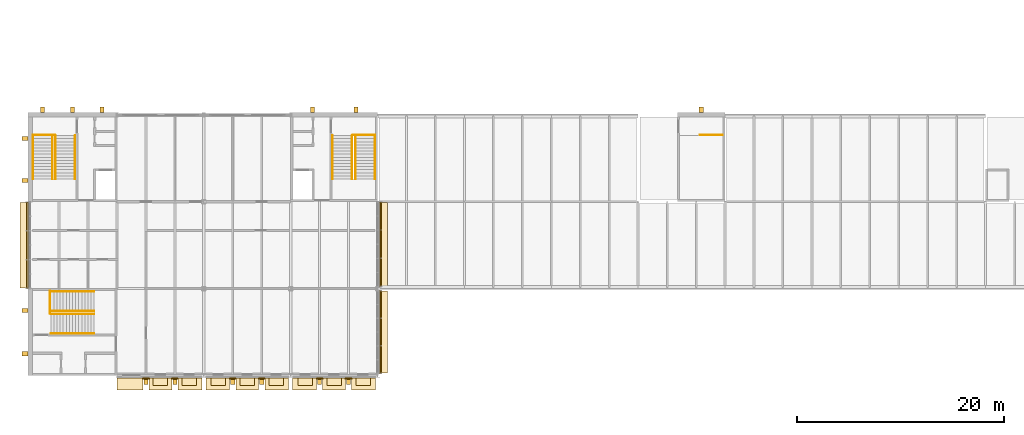
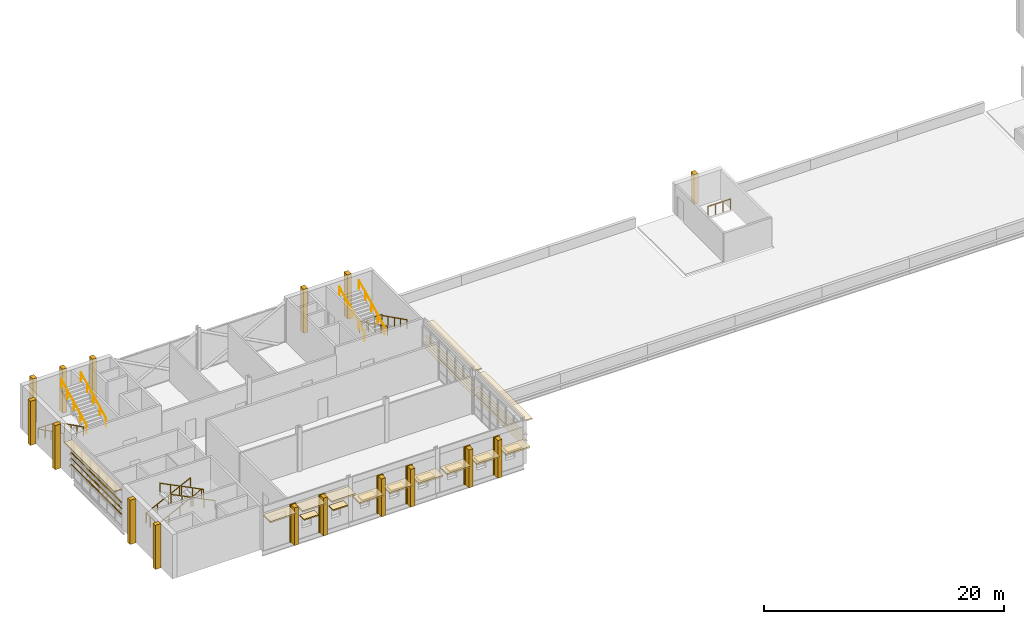
# One storey, part 28 of 29: 51 coverings, 16 railings.
"""IFC4 building model written with IfcOpenShell, lengths in metres."""

from ifc_helpers import new_model, si_unit, direction, frame, origin, origin_2d, place, context, subcontext, project, spatial, rectangle, circle, extrude, material, layer, layer_set, material_profile, profile_set, type_object, element, save


model = new_model("IFC4")

# Units and contexts
model_context = context("Model", 3, precision=1e-05, world=origin(), true_north=direction((0.0, 1.0)))
body_context = subcontext(model_context, "Body", "Model", "MODEL_VIEW")
ifc_project = project(units=[si_unit("LENGTHUNIT", "METRE"), si_unit("AREAUNIT", "SQUARE_METRE"), si_unit("VOLUMEUNIT", "CUBIC_METRE"), si_unit("PLANEANGLEUNIT", "RADIAN"), si_unit("MASSUNIT", "GRAM", prefix="KILO")], contexts=[model_context])

# Site, building, storey
site_placement = place(None, origin())
site = spatial("IfcSite", under=ifc_project, at=site_placement, CompositionType="ELEMENT")
building_placement = place(site_placement, origin())
building = spatial("IfcBuilding", under=site, at=building_placement, Name="Ardhachandra Cancer Care Centre", CompositionType="ELEMENT")
storey_placement = place(building_placement, frame((0.0, 0.0, 13.5)))
storey = spatial("IfcBuildingStorey", under=building, at=storey_placement, Name="L03", CompositionType="ELEMENT", Elevation=13.5)

# Coverings
ifc_material_1 = material(Name="Brick masonry (clay brick, cement mortar) pier cladding", Category="masonry")
ifc_layer_1 = layer(ifc_material_1, 0.1201171875)
ifc_layer_set_1 = layer_set([ifc_layer_1], Name="Brick masonry (clay brick, cement mortar) pier cladding")
covering_type_1 = type_object("IfcCoveringType", Name="Brick pier cladding 600 x 120", PredefinedType="CLADDING", material=ifc_layer_set_1)
for number, where, z_axis, x_axis, name in (
    (1, (22.0, 71.114990234375, 0.0), (0.0, 0.0, 1.0), (1.0, 0.0, 0.0), "Pier cladding L03 L03/s/0019200_0071400"),
    (2, (24.800048828125, 71.114990234375, 0.0), (0.0, 0.0, 1.0), (1.0, 0.0, 0.0), "Pier cladding L03 L03/s/0019200_0071400"),
    (3, (30.39990234375, 71.114990234375, 0.0), (0.0, 0.0, 1.0), (1.0, 0.0, 0.0), "Pier cladding L03 L03/s/0027600_0071400"),
    (4, (33.199951171875, 71.114990234375, 0.0), (0.0, 0.0, 1.0), (1.0, 0.0, 0.0), "Pier cladding L03 L03/s/0027600_0071400"),
    (5, (38.800048828125, 71.114990234375, 0.0), (0.0, 0.0, 1.0), (1.0, 0.0, 0.0), "Pier cladding L03 L03/s/0036000_0071400"),
    (6, (41.60009765625, 71.114990234375, 0.0), (0.0, 0.0, 1.0), (1.0, 0.0, 0.0), "Pier cladding L03 L03/s/0036000_0071400"),
):
    element("IfcCovering", number, at=place(storey_placement, frame(where, z_axis=z_axis, x_axis=x_axis)), inside=storey, type_object=covering_type_1, Name=name, PredefinedType="CLADDING", context=body_context, shape_type="SweptSolid", body=[
        extrude(rectangle(XDim=0.60009765625, YDim=0.1201171875, at=origin_2d()), origin(), (0.0, 0.0, 1.0), 3.85009765625),
    ])

# Railings
ifc_material_2 = material(Name="Steel E250 (IS 2062)", Category="steel")
railing_type_1 = type_object("IfcRailingType", Name="Guard 1100", PredefinedType="GUARDRAIL", material=ifc_material_2)
railing_1_placement = place(storey_placement, frame((11.054931640625, 94.659912109375, 0.0)))
element("IfcRailing", 7, at=railing_1_placement, inside=storey, type_object=railing_type_1, Name="Stair well guard K4 L03", PredefinedType="GUARDRAIL", context=body_context, shape_type="SweptSolid", body=[
    extrude(circle(Radius=0.02392578125, at=origin_2d()), frame((0.0, 0.0, 1.076171875), z_axis=(1.0, 0.0, 0.0), x_axis=(0.0, 1.0, 0.0)), (0.0, 0.0, 1.0), 2.170166015625),
    extrude(circle(Radius=0.02099609375, at=origin_2d()), origin(), (0.0, 0.0, 1.0), 1.052001953125),
    extrude(circle(Radius=0.02099609375, at=origin_2d()), frame((0.723388671875, 0.0, 0.0)), (0.0, 0.0, 1.0), 1.052001953125),
    extrude(circle(Radius=0.02099609375, at=origin_2d()), frame((1.44677734375, 0.0, 0.0)), (0.0, 0.0, 1.0), 1.052001953125),
    extrude(circle(Radius=0.02099609375, at=origin_2d()), frame((2.170166015625, 0.0, 0.0)), (0.0, 0.0, 1.0), 1.052001953125),
])
railing_2_placement = place(storey_placement, frame((44.169921875, 94.659912109375, 0.0)))
element("IfcRailing", 8, at=railing_2_placement, inside=storey, type_object=railing_type_1, Name="Stair well guard K5 L03", PredefinedType="GUARDRAIL", context=body_context, shape_type="SweptSolid", body=[
    extrude(circle(Radius=0.02392578125, at=origin_2d()), frame((0.0, 0.0, 1.076171875), z_axis=(-1.0, 0.0, 0.0), x_axis=(0.0, -1.0, 0.0)), (0.0, 0.0, 1.0), 2.169921875),
    extrude(circle(Radius=0.02099609375, at=origin_2d()), origin(), (0.0, 0.0, 1.0), 1.052001953125),
    extrude(circle(Radius=0.02099609375, at=origin_2d()), frame((-0.723388671875, 0.0, 0.0)), (0.0, 0.0, 1.0), 1.052001953125),
    extrude(circle(Radius=0.02099609375, at=origin_2d()), frame((-1.446533203125, 0.0, 0.0)), (0.0, 0.0, 1.0), 1.052001953125),
    extrude(circle(Radius=0.02099609375, at=origin_2d()), frame((-2.169921875, 0.0, 0.0)), (0.0, 0.0, 1.0), 1.052001953125),
])
railing_3_placement = place(storey_placement, frame((12.739990234375, 79.570068359375, 0.0)))
element("IfcRailing", 9, at=railing_3_placement, inside=storey, type_object=railing_type_1, Name="Stair well guard K6 L03", PredefinedType="GUARDRAIL", context=body_context, shape_type="SweptSolid", body=[
    extrude(circle(Radius=0.02392578125, at=origin_2d()), frame((0.0, 0.0, 1.076171875), z_axis=(0.0, -1.0, 0.0), x_axis=(1.0, 0.0, 0.0)), (0.0, 0.0, 1.0), 2.170166015625),
    extrude(circle(Radius=0.02099609375, at=origin_2d()), origin(), (0.0, 0.0, 1.0), 1.052001953125),
    extrude(circle(Radius=0.02099609375, at=origin_2d()), frame((0.0, -0.723388671875, 0.0)), (0.0, 0.0, 1.0), 1.052001953125),
    extrude(circle(Radius=0.02099609375, at=origin_2d()), frame((0.0, -1.44677734375, 0.0)), (0.0, 0.0, 1.0), 1.052001953125),
    extrude(circle(Radius=0.02099609375, at=origin_2d()), frame((0.0, -2.170166015625, 0.0)), (0.0, 0.0, 1.0), 1.052001953125),
])
railing_4_placement = place(storey_placement, frame((77.77001953125, 94.659912109375, 0.0)))
element("IfcRailing", 10, at=railing_4_placement, inside=storey, type_object=railing_type_1, Name="Stair well guard K8 L03", PredefinedType="GUARDRAIL", context=body_context, shape_type="SweptSolid", body=[
    extrude(circle(Radius=0.02392578125, at=origin_2d()), frame((0.0, 0.0, 1.076171875), z_axis=(-1.0, 0.0, 0.0), x_axis=(0.0, -1.0, 0.0)), (0.0, 0.0, 1.0), 2.169921875),
    extrude(circle(Radius=0.02099609375, at=origin_2d()), origin(), (0.0, 0.0, 1.0), 1.052001953125),
    extrude(circle(Radius=0.02099609375, at=origin_2d()), frame((-0.723388671875, 0.0, 0.0)), (0.0, 0.0, 1.0), 1.052001953125),
    extrude(circle(Radius=0.02099609375, at=origin_2d()), frame((-1.446533203125, 0.0, 0.0)), (0.0, 0.0, 1.0), 1.052001953125),
    extrude(circle(Radius=0.02099609375, at=origin_2d()), frame((-2.169921875, 0.0, 0.0)), (0.0, 0.0, 1.0), 1.052001953125),
])

# Coverings
ifc_material_3 = material(Name="Anodised aluminium extrusion", Category="aluminium")
ifc_material_profile = material_profile(ifc_material_3, rectangle(XDim=0.199951171875, YDim=0.02001953125, at=origin_2d()), Name="Louvre blade 200 x 20")
ifc_profile_set = profile_set([ifc_material_profile], Name="Anodised aluminium extrusion")
covering_type_2 = type_object("IfcCoveringType", Name="Louvre blade 200 x 20", PredefinedType="CLADDING", material=ifc_profile_set)
for number, where, z_axis, x_axis, name in (
    (11, (44.655029296875, 71.614013671875, 1.5), (0.0, 1.0, 0.0), (-0.819152044289, 0.0, -0.573576436351), "Louvre blade over curtain wall L03/e/0044400_0071400 1"),
    (12, (44.655029296875, 71.614013671875, 2.10009765625), (0.0, 1.0, 0.0), (-0.819152044289, 0.0, -0.573576436351), "Louvre blade over curtain wall L03/e/0044400_0071400 2"),
    (13, (44.655029296875, 71.614013671875, 2.699951171875), (0.0, 1.0, 0.0), (-0.819152044289, 0.0, -0.573576436351), "Louvre blade over curtain wall L03/e/0044400_0071400 3"),
):
    element("IfcCovering", number, at=place(storey_placement, frame(where, z_axis=z_axis, x_axis=x_axis)), inside=storey, type_object=covering_type_2, Name=name, PredefinedType="CLADDING", context=body_context, shape_type="SweptSolid", body=[
        extrude(rectangle(XDim=0.199951171875, YDim=0.02001953125, at=origin_2d()), origin(), (0.0, 0.0, 1.0), 7.971923828125),
    ])
for number, where, z_axis, x_axis, name in (
    (14, (44.655029296875, 80.013916015625, 1.5), (0.0, 1.0, 0.0), (-0.819152044289, 0.0, -0.573576436351), "Louvre blade over curtain wall L03/e/0044400_0079800 1"),
    (15, (44.655029296875, 80.013916015625, 2.10009765625), (0.0, 1.0, 0.0), (-0.819152044289, 0.0, -0.573576436351), "Louvre blade over curtain wall L03/e/0044400_0079800 2"),
    (16, (44.655029296875, 80.013916015625, 2.699951171875), (0.0, 1.0, 0.0), (-0.819152044289, 0.0, -0.573576436351), "Louvre blade over curtain wall L03/e/0044400_0079800 3"),
):
    element("IfcCovering", number, at=place(storey_placement, frame(where, z_axis=z_axis, x_axis=x_axis)), inside=storey, type_object=covering_type_2, Name=name, PredefinedType="CLADDING", context=body_context, shape_type="SweptSolid", body=[
        extrude(rectangle(XDim=0.199951171875, YDim=0.02001953125, at=origin_2d()), origin(), (0.0, 0.0, 1.0), 8.156005859375),
    ])
for number, where, z_axis, x_axis, name in (
    (17, (10.544921875, 79.830078125, 1.5), (0.0, 1.0, 0.0), (-0.819152044289, 0.0, 0.573576436351), "Louvre blade over curtain wall L03/w/0010800_0079800 1"),
    (18, (10.544921875, 79.830078125, 2.10009765625), (0.0, 1.0, 0.0), (-0.819152044289, 0.0, 0.573576436351), "Louvre blade over curtain wall L03/w/0010800_0079800 2"),
    (19, (10.544921875, 79.830078125, 2.699951171875), (0.0, 1.0, 0.0), (-0.819152044289, 0.0, 0.573576436351), "Louvre blade over curtain wall L03/w/0010800_0079800 3"),
):
    element("IfcCovering", number, at=place(storey_placement, frame(where, z_axis=z_axis, x_axis=x_axis)), inside=storey, type_object=covering_type_2, Name=name, PredefinedType="CLADDING", context=body_context, shape_type="SweptSolid", body=[
        extrude(rectangle(XDim=0.199951171875, YDim=0.02001953125, at=origin_2d()), origin(), (0.0, 0.0, 1.0), 8.33984375),
    ])
ifc_material_4 = material(Name="Precast Concrete M25", Category="concrete")
ifc_layer_2 = layer(ifc_material_4, 0.1201171875)
ifc_layer_set_2 = layer_set([ifc_layer_2], Name="Precast Concrete M25")
covering_type_3 = type_object("IfcCoveringType", Name="Precast chajja 750 x 120", PredefinedType="USERDEFINED", material=ifc_layer_set_2)
covering_1_placement = place(storey_placement, frame((45.0, 75.60009765625, 3.949951171875), z_axis=(0.0, 0.0, 1.0), x_axis=(0.0, 1.0, 0.0)))
element("IfcCovering", 20, at=covering_1_placement, inside=storey, type_object=covering_type_3, Name="Chajja over curtain wall L03/e/0044400_0071400", ObjectType="CHAJJA", PredefinedType="USERDEFINED", context=body_context, shape_type="SweptSolid", body=[
    extrude(rectangle(XDim=7.931884765625, YDim=0.75, at=origin_2d()), origin(), (0.0, 0.0, 1.0), 0.1201171875),
])
covering_2_placement = place(storey_placement, frame((45.0, 84.092041015625, 3.949951171875), z_axis=(0.0, 0.0, 1.0), x_axis=(0.0, 1.0, 0.0)))
element("IfcCovering", 21, at=covering_2_placement, inside=storey, type_object=covering_type_3, Name="Chajja over curtain wall L03/e/0044400_0079800", ObjectType="CHAJJA", PredefinedType="USERDEFINED", context=body_context, shape_type="SweptSolid", body=[
    extrude(rectangle(XDim=8.115966796875, YDim=0.75, at=origin_2d()), origin(), (0.0, 0.0, 1.0), 0.1201171875),
])
covering_3_placement = place(storey_placement, frame((10.199951171875, 84.0, 3.949951171875), z_axis=(0.0, 0.0, 1.0), x_axis=(0.0, 1.0, 0.0)))
element("IfcCovering", 22, at=covering_3_placement, inside=storey, type_object=covering_type_3, Name="Chajja over curtain wall L03/w/0010800_0079800", ObjectType="CHAJJA", PredefinedType="USERDEFINED", context=body_context, shape_type="SweptSolid", body=[
    extrude(rectangle(XDim=8.300048828125, YDim=0.75, at=origin_2d()), origin(), (0.0, 0.0, 1.0), 0.1201171875),
])
for number, where, z_axis, x_axis, name in (
    (23, (23.39990234375, 70.800048828125, 2.300048828125), (0.0, 0.0, 1.0), (1.0, 0.0, 0.0), "Chajja L03/s/0019200_0071400/02"),
    (24, (26.199951171875, 70.800048828125, 2.300048828125), (0.0, 0.0, 1.0), (1.0, 0.0, 0.0), "Chajja L03/s/0019200_0071400/03"),
    (25, (29.0, 70.800048828125, 2.300048828125), (0.0, 0.0, 1.0), (1.0, 0.0, 0.0), "Chajja L03/s/0027600_0071400/01"),
    (26, (31.800048828125, 70.800048828125, 2.300048828125), (0.0, 0.0, 1.0), (1.0, 0.0, 0.0), "Chajja L03/s/0027600_0071400/02"),
    (27, (34.60009765625, 70.800048828125, 2.300048828125), (0.0, 0.0, 1.0), (1.0, 0.0, 0.0), "Chajja L03/s/0027600_0071400/03"),
    (28, (37.39990234375, 70.800048828125, 2.300048828125), (0.0, 0.0, 1.0), (1.0, 0.0, 0.0), "Chajja L03/s/0036000_0071400/01"),
    (29, (40.199951171875, 70.800048828125, 2.300048828125), (0.0, 0.0, 1.0), (1.0, 0.0, 0.0), "Chajja L03/s/0036000_0071400/02"),
    (30, (43.0, 70.800048828125, 2.300048828125), (0.0, 0.0, 1.0), (1.0, 0.0, 0.0), "Chajja L03/s/0036000_0071400/03"),
):
    element("IfcCovering", number, at=place(storey_placement, frame(where, z_axis=z_axis, x_axis=x_axis)), inside=storey, type_object=covering_type_3, Name=name, ObjectType="CHAJJA", PredefinedType="USERDEFINED", context=body_context, shape_type="SweptSolid", body=[
        extrude(rectangle(XDim=1.39990234375, YDim=0.75, at=origin_2d()), origin(), (0.0, 0.0, 1.0), 0.1201171875),
    ])
ifc_material_5 = material(Name="Precast Concrete M25", Category="concrete")
ifc_layer_3 = layer(ifc_material_5, 0.39990234375)
ifc_layer_set_3 = layer_set([ifc_layer_3], Name="Precast Concrete M25")
covering_type_4 = type_object("IfcCoveringType", Name="Precast concrete fin 400 x 550", PredefinedType="CLADDING", material=ifc_layer_set_3)
for number, where, z_axis, x_axis, name in (
    (31, (22.0, 70.780029296875, 0.0), (0.0, 0.0, 1.0), (1.0, 0.0, 0.0), "Fin L03 L03/s/0019200_0071400"),
    (32, (24.800048828125, 70.780029296875, 0.0), (0.0, 0.0, 1.0), (1.0, 0.0, 0.0), "Fin L03 L03/s/0019200_0071400"),
    (33, (30.39990234375, 70.780029296875, 0.0), (0.0, 0.0, 1.0), (1.0, 0.0, 0.0), "Fin L03 L03/s/0027600_0071400"),
    (34, (33.199951171875, 70.780029296875, 0.0), (0.0, 0.0, 1.0), (1.0, 0.0, 0.0), "Fin L03 L03/s/0027600_0071400"),
    (35, (38.800048828125, 70.780029296875, 0.0), (0.0, 0.0, 1.0), (1.0, 0.0, 0.0), "Fin L03 L03/s/0036000_0071400"),
    (36, (41.60009765625, 70.780029296875, 0.0), (0.0, 0.0, 1.0), (1.0, 0.0, 0.0), "Fin L03 L03/s/0036000_0071400"),
):
    element("IfcCovering", number, at=place(storey_placement, frame(where, z_axis=z_axis, x_axis=x_axis)), inside=storey, type_object=covering_type_4, Name=name, PredefinedType="CLADDING", context=body_context, shape_type="SweptSolid", body=[
        extrude(rectangle(XDim=0.39990234375, YDim=0.550048828125, at=origin_2d()), origin(), (0.0, 0.0, 1.0), 3.85009765625),
    ])
for number, where, z_axis, x_axis, name in (
    (37, (12.012451171875, 97.10009765625, 0.0), (0.0, 0.0, 1.0), (1.0, 0.0, 0.0), "Fin L03 core K4 1"),
    (38, (14.887451171875, 97.10009765625, 0.0), (0.0, 0.0, 1.0), (1.0, 0.0, 0.0), "Fin L03 core K4 2"),
    (39, (17.762451171875, 97.10009765625, 0.0), (0.0, 0.0, 1.0), (1.0, 0.0, 0.0), "Fin L03 core K4 3"),
    (40, (10.300048828125, 90.24365234375, 0.0), (0.0, 0.0, 1.0), (0.0, 1.0, 0.0), "Fin L03 core K4 1"),
    (41, (10.300048828125, 94.331298828125, 0.0), (0.0, 0.0, 1.0), (0.0, 1.0, 0.0), "Fin L03 core K4 2"),
    (42, (38.10009765625, 97.10009765625, 0.0), (0.0, 0.0, 1.0), (1.0, 0.0, 0.0), "Fin L03 core K5 1"),
    (43, (42.300048828125, 97.10009765625, 0.0), (0.0, 0.0, 1.0), (1.0, 0.0, 0.0), "Fin L03 core K5 2"),
    (44, (10.300048828125, 73.5, 0.0), (0.0, 0.0, 1.0), (0.0, 1.0, 0.0), "Fin L03 core K6 1"),
    (45, (10.300048828125, 77.699951171875, 0.0), (0.0, 0.0, 1.0), (0.0, 1.0, 0.0), "Fin L03 core K6 2"),
):
    element("IfcCovering", number, at=place(storey_placement, frame(where, z_axis=z_axis, x_axis=x_axis)), inside=storey, type_object=covering_type_4, Name=name, PredefinedType="CLADDING", context=body_context, shape_type="SweptSolid", body=[
        extrude(rectangle(XDim=0.39990234375, YDim=0.550048828125, at=origin_2d()), origin(), (0.0, 0.0, 1.0), 4.5),
    ])
covering_4_placement = place(storey_placement, frame((75.699951171875, 97.10009765625, 0.0), z_axis=(0.0, 0.0, 1.0), x_axis=(1.0, 0.0, 0.0)))
element("IfcCovering", 46, at=covering_4_placement, inside=storey, type_object=covering_type_4, Name="Fin L03 core K8 1", PredefinedType="CLADDING", context=body_context, shape_type="SweptSolid", body=[
    extrude(rectangle(XDim=0.39990234375, YDim=0.550048828125, at=origin_2d()), origin(), (0.0, 0.0, 1.0), 3.0),
])
ifc_material_6 = material(Name="Precast Concrete M25", Category="concrete")
ifc_layer_4 = layer(ifc_material_6, 0.14990234375)
ifc_layer_set_4 = layer_set([ifc_layer_4], Name="Precast Concrete M25")
covering_type_5 = type_object("IfcCoveringType", Name="Precast sunshade band 1200 x 150", PredefinedType="CLADDING", material=ifc_layer_set_4)
covering_5_placement = place(storey_placement, frame((20.449951171875, 70.574951171875, 3.550048828125), z_axis=(0.0, 0.0, 1.0), x_axis=(1.0, 0.0, 0.0)))
element("IfcCovering", 47, at=covering_5_placement, inside=storey, type_object=covering_type_5, Name="Sunshade band L03 L03/s/0019200_0071400 1", PredefinedType="CLADDING", context=body_context, shape_type="SweptSolid", body=[
    extrude(rectangle(XDim=2.5, YDim=1.199951171875, at=origin_2d()), origin(), (0.0, 0.0, 1.0), 0.14990234375),
])
covering_6_placement = place(storey_placement, frame((23.39990234375, 70.574951171875, 3.550048828125), z_axis=(0.0, 0.0, 1.0), x_axis=(1.0, 0.0, 0.0)))
element("IfcCovering", 48, at=covering_6_placement, inside=storey, type_object=covering_type_5, Name="Sunshade band L03 L03/s/0019200_0071400 2", PredefinedType="CLADDING", context=body_context, shape_type="SweptSolid", body=[
    extrude(rectangle(XDim=2.199951171875, YDim=1.199951171875, at=origin_2d()), origin(), (0.0, 0.0, 1.0), 0.14990234375),
])
for number, where, z_axis, x_axis, name in (
    (49, (26.252197265625, 70.574951171875, 3.550048828125), (0.0, 0.0, 1.0), (1.0, 0.0, 0.0), "Sunshade band L03 L03/s/0019200_0071400 3"),
    (50, (28.94775390625, 70.574951171875, 2.449951171875), (0.0, 0.0, 1.0), (1.0, 0.0, 0.0), "Sunshade band L03 L03/s/0027600_0071400 1"),
):
    element("IfcCovering", number, at=place(storey_placement, frame(where, z_axis=z_axis, x_axis=x_axis)), inside=storey, type_object=covering_type_5, Name=name, PredefinedType="CLADDING", context=body_context, shape_type="SweptSolid", body=[
        extrude(rectangle(XDim=2.304443359375, YDim=1.199951171875, at=origin_2d()), origin(), (0.0, 0.0, 1.0), 0.14990234375),
    ])
covering_7_placement = place(storey_placement, frame((31.800048828125, 70.574951171875, 2.449951171875), z_axis=(0.0, 0.0, 1.0), x_axis=(1.0, 0.0, 0.0)))
element("IfcCovering", 51, at=covering_7_placement, inside=storey, type_object=covering_type_5, Name="Sunshade band L03 L03/s/0027600_0071400 2", PredefinedType="CLADDING", context=body_context, shape_type="SweptSolid", body=[
    extrude(rectangle(XDim=2.199951171875, YDim=1.199951171875, at=origin_2d()), origin(), (0.0, 0.0, 1.0), 0.14990234375),
])
for number, where, z_axis, x_axis, name in (
    (52, (34.65234375, 70.574951171875, 2.449951171875), (0.0, 0.0, 1.0), (1.0, 0.0, 0.0), "Sunshade band L03 L03/s/0027600_0071400 3"),
    (53, (37.34765625, 70.574951171875, 2.449951171875), (0.0, 0.0, 1.0), (1.0, 0.0, 0.0), "Sunshade band L03 L03/s/0036000_0071400 1"),
):
    element("IfcCovering", number, at=place(storey_placement, frame(where, z_axis=z_axis, x_axis=x_axis)), inside=storey, type_object=covering_type_5, Name=name, PredefinedType="CLADDING", context=body_context, shape_type="SweptSolid", body=[
        extrude(rectangle(XDim=2.304443359375, YDim=1.199951171875, at=origin_2d()), origin(), (0.0, 0.0, 1.0), 0.14990234375),
    ])
covering_8_placement = place(storey_placement, frame((40.199951171875, 70.574951171875, 2.449951171875), z_axis=(0.0, 0.0, 1.0), x_axis=(1.0, 0.0, 0.0)))
element("IfcCovering", 54, at=covering_8_placement, inside=storey, type_object=covering_type_5, Name="Sunshade band L03 L03/s/0036000_0071400 2", PredefinedType="CLADDING", context=body_context, shape_type="SweptSolid", body=[
    extrude(rectangle(XDim=2.199951171875, YDim=1.199951171875, at=origin_2d()), origin(), (0.0, 0.0, 1.0), 0.14990234375),
])
covering_9_placement = place(storey_placement, frame((43.05224609375, 70.574951171875, 2.449951171875), z_axis=(0.0, 0.0, 1.0), x_axis=(1.0, 0.0, 0.0)))
element("IfcCovering", 55, at=covering_9_placement, inside=storey, type_object=covering_type_5, Name="Sunshade band L03 L03/s/0036000_0071400 3", PredefinedType="CLADDING", context=body_context, shape_type="SweptSolid", body=[
    extrude(rectangle(XDim=2.304443359375, YDim=1.199951171875, at=origin_2d()), origin(), (0.0, 0.0, 1.0), 0.14990234375),
])

# Railings
ifc_material_7 = material(Name="Steel E250 (IS 2062)", Category="steel")
railing_type_2 = type_object("IfcRailingType", Name="Stair handrail 900", PredefinedType="HANDRAIL", material=ifc_material_7)
for number, where, name in (
    (56, (11.0849609375, 94.60009765625, 0.14990234375), "Handrail K4 L03-L04 flight 1 wall side"),
    (57, (12.97509765625, 94.60009765625, 0.14990234375), "Handrail K4 L03-L04 flight 1 well side"),
):
    element("IfcRailing", number, at=place(storey_placement, frame(where)), inside=storey, type_object=railing_type_2, Name=name, PredefinedType="HANDRAIL", context=body_context, shape_type="SweptSolid", body=[
        extrude(circle(Radius=0.02392578125, at=origin_2d()), frame((0.0, 0.0, 0.8759765625), z_axis=(0.0, -0.894427191, 0.4472135955), x_axis=(1.0, 0.0, 0.0)), (0.0, 0.0, 1.0), 4.696044921875),
        extrude(circle(Radius=0.02099609375, at=origin_2d()), origin(), (0.0, 0.0, 1.0), 0.851806640625),
        extrude(circle(Radius=0.02099609375, at=origin_2d()), frame((0.0, -1.050048828125, 0.52490234375)), (0.0, 0.0, 1.0), 0.851806640625),
        extrude(circle(Radius=0.02099609375, at=origin_2d()), frame((0.0, -2.10009765625, 1.050048828125)), (0.0, 0.0, 1.0), 0.851806640625),
        extrude(circle(Radius=0.02099609375, at=origin_2d()), frame((0.0, -3.150146484375, 1.5751953125)), (0.0, 0.0, 1.0), 0.851806640625),
        extrude(circle(Radius=0.02099609375, at=origin_2d()), frame((0.0, -4.2001953125, 2.10009765625)), (0.0, 0.0, 1.0), 0.851806640625),
    ])
for number, where, name in (
    (58, (13.27490234375, 90.39990234375, 2.39990234375), "Handrail K4 L03-L04 flight 2 well side"),
    (59, (15.1650390625, 90.39990234375, 2.39990234375), "Handrail K4 L03-L04 flight 2 wall side"),
):
    element("IfcRailing", number, at=place(storey_placement, frame(where)), inside=storey, type_object=railing_type_2, Name=name, PredefinedType="HANDRAIL", context=body_context, shape_type="SweptSolid", body=[
        extrude(circle(Radius=0.02392578125, at=origin_2d()), frame((0.0, 0.0, 0.8759765625), z_axis=(0.0, 0.894427191, 0.4472135955), x_axis=(-1.0, 0.0, 0.0)), (0.0, 0.0, 1.0), 4.696044921875),
        extrude(circle(Radius=0.02099609375, at=origin_2d()), origin(), (0.0, 0.0, 1.0), 0.851806640625),
        extrude(circle(Radius=0.02099609375, at=origin_2d()), frame((0.0, 1.050048828125, 0.52490234375)), (0.0, 0.0, 1.0), 0.851806640625),
        extrude(circle(Radius=0.02099609375, at=origin_2d()), frame((0.0, 2.10009765625, 1.050048828125)), (0.0, 0.0, 1.0), 0.851806640625),
        extrude(circle(Radius=0.02099609375, at=origin_2d()), frame((0.0, 3.150146484375, 1.5751953125)), (0.0, 0.0, 1.0), 0.851806640625),
        extrude(circle(Radius=0.02099609375, at=origin_2d()), frame((0.0, 4.2001953125, 2.10009765625)), (0.0, 0.0, 1.0), 0.851806640625),
    ])
for number, where, name in (
    (60, (44.139892578125, 94.60009765625, 0.14990234375), "Handrail K5 L03-L04 flight 1 wall side"),
    (61, (42.25, 94.60009765625, 0.14990234375), "Handrail K5 L03-L04 flight 1 well side"),
):
    element("IfcRailing", number, at=place(storey_placement, frame(where)), inside=storey, type_object=railing_type_2, Name=name, PredefinedType="HANDRAIL", context=body_context, shape_type="SweptSolid", body=[
        extrude(circle(Radius=0.02392578125, at=origin_2d()), frame((0.0, 0.0, 0.8759765625), z_axis=(0.0, -0.894427191, 0.4472135955), x_axis=(1.0, 0.0, 0.0)), (0.0, 0.0, 1.0), 4.696044921875),
        extrude(circle(Radius=0.02099609375, at=origin_2d()), origin(), (0.0, 0.0, 1.0), 0.851806640625),
        extrude(circle(Radius=0.02099609375, at=origin_2d()), frame((0.0, -1.050048828125, 0.52490234375)), (0.0, 0.0, 1.0), 0.851806640625),
        extrude(circle(Radius=0.02099609375, at=origin_2d()), frame((0.0, -2.10009765625, 1.050048828125)), (0.0, 0.0, 1.0), 0.851806640625),
        extrude(circle(Radius=0.02099609375, at=origin_2d()), frame((0.0, -3.150146484375, 1.5751953125)), (0.0, 0.0, 1.0), 0.851806640625),
        extrude(circle(Radius=0.02099609375, at=origin_2d()), frame((0.0, -4.2001953125, 2.10009765625)), (0.0, 0.0, 1.0), 0.851806640625),
    ])
for number, where, name in (
    (62, (41.949951171875, 90.39990234375, 2.39990234375), "Handrail K5 L03-L04 flight 2 well side"),
    (63, (40.06005859375, 90.39990234375, 2.39990234375), "Handrail K5 L03-L04 flight 2 wall side"),
):
    element("IfcRailing", number, at=place(storey_placement, frame(where)), inside=storey, type_object=railing_type_2, Name=name, PredefinedType="HANDRAIL", context=body_context, shape_type="SweptSolid", body=[
        extrude(circle(Radius=0.02392578125, at=origin_2d()), frame((0.0, 0.0, 0.8759765625), z_axis=(0.0, 0.894427191, 0.4472135955), x_axis=(-1.0, 0.0, 0.0)), (0.0, 0.0, 1.0), 4.696044921875),
        extrude(circle(Radius=0.02099609375, at=origin_2d()), origin(), (0.0, 0.0, 1.0), 0.851806640625),
        extrude(circle(Radius=0.02099609375, at=origin_2d()), frame((0.0, 1.050048828125, 0.52490234375)), (0.0, 0.0, 1.0), 0.851806640625),
        extrude(circle(Radius=0.02099609375, at=origin_2d()), frame((0.0, 2.10009765625, 1.050048828125)), (0.0, 0.0, 1.0), 0.851806640625),
        extrude(circle(Radius=0.02099609375, at=origin_2d()), frame((0.0, 3.150146484375, 1.5751953125)), (0.0, 0.0, 1.0), 0.851806640625),
        extrude(circle(Radius=0.02099609375, at=origin_2d()), frame((0.0, 4.2001953125, 2.10009765625)), (0.0, 0.0, 1.0), 0.851806640625),
    ])
for number, where, name in (
    (64, (12.800048828125, 79.5400390625, 0.14990234375), "Handrail K6 L03-L04 flight 1 wall side"),
    (65, (12.800048828125, 77.64990234375, 0.14990234375), "Handrail K6 L03-L04 flight 1 well side"),
):
    element("IfcRailing", number, at=place(storey_placement, frame(where)), inside=storey, type_object=railing_type_2, Name=name, PredefinedType="HANDRAIL", context=body_context, shape_type="SweptSolid", body=[
        extrude(circle(Radius=0.02392578125, at=origin_2d()), frame((0.0, 0.0, 0.8759765625), z_axis=(0.894416792377, 0.0, 0.447234392142), x_axis=(0.0, 1.0, 0.0)), (0.0, 0.0, 1.0), 4.69580078125),
        extrude(circle(Radius=0.02099609375, at=origin_2d()), origin(), (0.0, 0.0, 1.0), 0.851806640625),
        extrude(circle(Radius=0.02099609375, at=origin_2d()), frame((1.050048828125, 0.0, 0.52490234375)), (0.0, 0.0, 1.0), 0.851806640625),
        extrude(circle(Radius=0.02099609375, at=origin_2d()), frame((2.10009765625, 0.0, 1.050048828125)), (0.0, 0.0, 1.0), 0.851806640625),
        extrude(circle(Radius=0.02099609375, at=origin_2d()), frame((3.14990234375, 0.0, 1.5751953125)), (0.0, 0.0, 1.0), 0.851806640625),
        extrude(circle(Radius=0.02099609375, at=origin_2d()), frame((4.199951171875, 0.0, 2.10009765625)), (0.0, 0.0, 1.0), 0.851806640625),
    ])
for number, where, name in (
    (66, (17.0, 77.35009765625, 2.39990234375), "Handrail K6 L03-L04 flight 2 well side"),
    (67, (17.0, 75.4599609375, 2.39990234375), "Handrail K6 L03-L04 flight 2 wall side"),
):
    element("IfcRailing", number, at=place(storey_placement, frame(where)), inside=storey, type_object=railing_type_2, Name=name, PredefinedType="HANDRAIL", context=body_context, shape_type="SweptSolid", body=[
        extrude(circle(Radius=0.02392578125, at=origin_2d()), frame((0.0, 0.0, 0.8759765625), z_axis=(-0.894416792377, 0.0, 0.447234392142), x_axis=(0.0, -1.0, 0.0)), (0.0, 0.0, 1.0), 4.69580078125),
        extrude(circle(Radius=0.02099609375, at=origin_2d()), origin(), (0.0, 0.0, 1.0), 0.851806640625),
        extrude(circle(Radius=0.02099609375, at=origin_2d()), frame((-1.050048828125, 0.0, 0.52490234375)), (0.0, 0.0, 1.0), 0.851806640625),
        extrude(circle(Radius=0.02099609375, at=origin_2d()), frame((-2.10009765625, 0.0, 1.050048828125)), (0.0, 0.0, 1.0), 0.851806640625),
        extrude(circle(Radius=0.02099609375, at=origin_2d()), frame((-3.14990234375, 0.0, 1.5751953125)), (0.0, 0.0, 1.0), 0.851806640625),
        extrude(circle(Radius=0.02099609375, at=origin_2d()), frame((-4.199951171875, 0.0, 2.10009765625)), (0.0, 0.0, 1.0), 0.851806640625),
    ])

save(model, "model.ifc")
